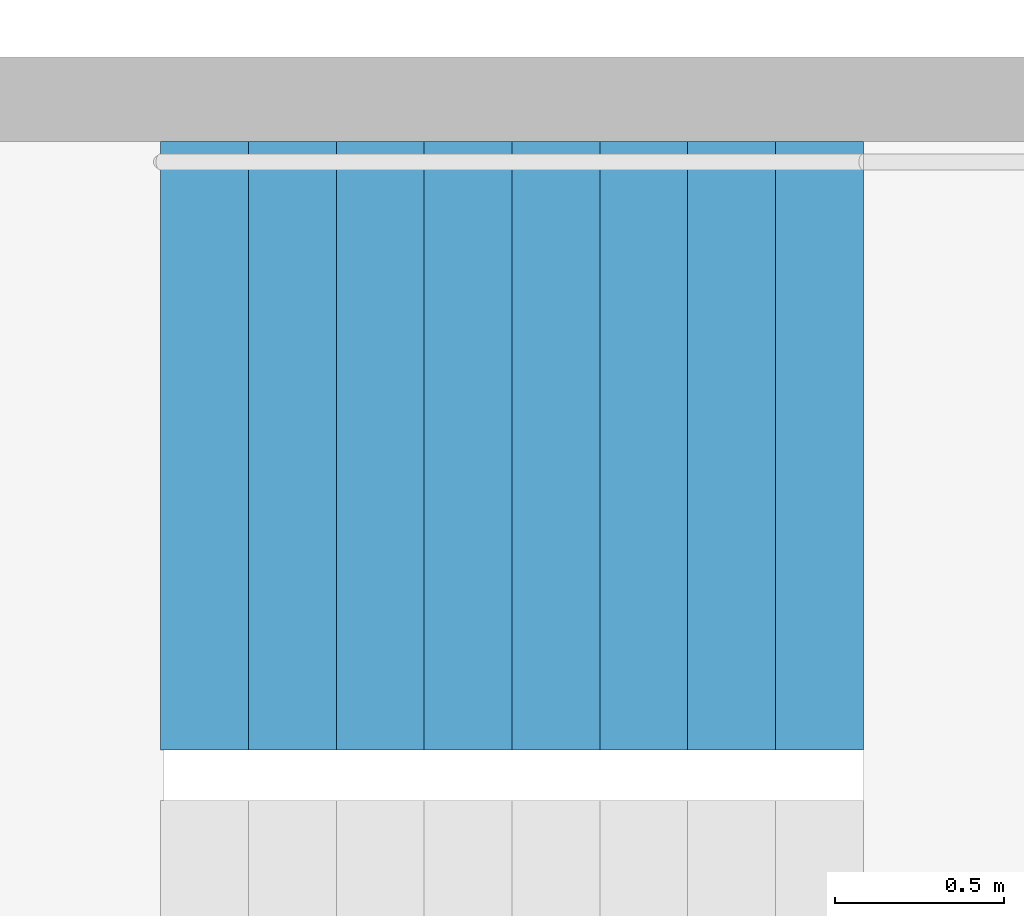
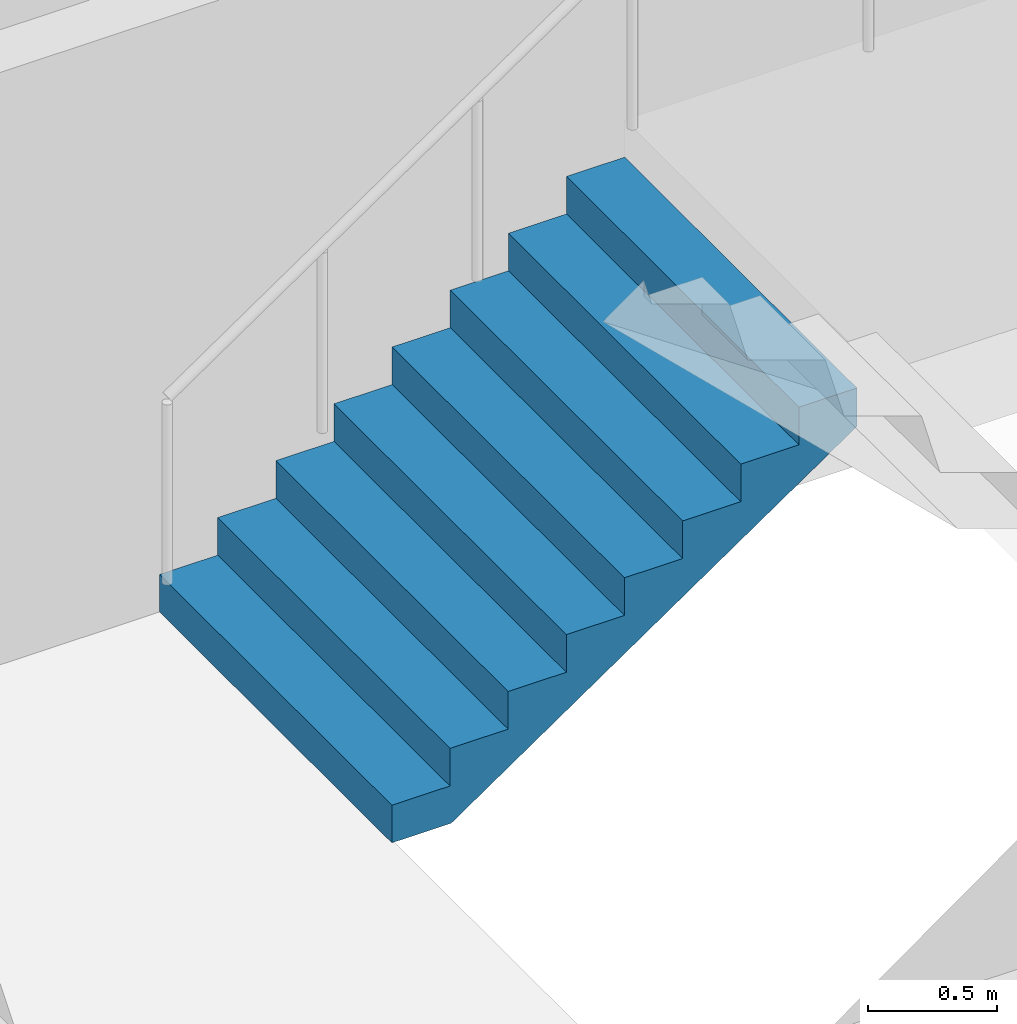
# One storey, part 24 of 33: 1 stair flight, 1 element without a shape of its own.
"""IFC4 building model written with IfcOpenShell, lengths in metres."""

import ifcopenshell
import ifcopenshell.guid

model = None  # the IFC model being written
_history = None  # IfcOwnerHistory: only IFC2X3 demands one
_inside = {}  # id of a spatial element -> (the spatial element, [elements in it])
_under = {}  # id of a project, library or spatial element -> (it, [spatial elements below it])
_declared = {}  # id of a project -> (the project, [libraries it declares])
_typed = {}  # id of a type object -> (the type object, [elements of that type])
_made_of = {}  # id of a material, layer set ... -> (it, [elements and type objects made of it])


def new_model(schema):
    """Start an empty IFC model of exactly this schema.

    Asked for "IFC4X3", IfcOpenShell would pick the latest addendum, in which some entities
    have other attributes; the version numbers below select the first issue.
    IFC2X3 requires an IfcOwnerHistory on every rooted entity: one is made here for all.
    """
    global model, _history
    if schema == "IFC4X3":
        model = ifcopenshell.file(schema_version=(4, 3, 0, 0))
    else:
        model = ifcopenshell.file(schema=schema)
    _inside.clear()
    _under.clear()
    _declared.clear()
    _typed.clear()
    _made_of.clear()
    _history = None
    if model.schema == "IFC2X3":
        org = make("IfcOrganization", Name="unknown")
        user = make(
            "IfcPersonAndOrganization",
            ThePerson=make("IfcPerson", FamilyName="unknown"),
            TheOrganization=org,
        )
        app = make(
            "IfcApplication",
            ApplicationDeveloper=org,
            Version="unknown",
            ApplicationFullName="unknown",
            ApplicationIdentifier="unknown",
        )
        _history = make(
            "IfcOwnerHistory",
            OwningUser=user,
            OwningApplication=app,
            ChangeAction="ADDED",
            CreationDate=0,
        )
    return model


def make(cls, **values):
    """One entity of the class cls with the attributes given. An attribute that is None is left unset."""
    return model.create_entity(
        cls, **{name: value for name, value in values.items() if value is not None}
    )


def rooted(cls, **values):
    """An entity with a GlobalId (a new one), such as an element, a storey or a relation."""
    return make(cls, GlobalId=ifcopenshell.guid.new(), OwnerHistory=_history, **values)


def si_unit(unit_type, name, prefix=None):
    """IfcSIUnit, for example si_unit("LENGTHUNIT", "METRE", prefix="MILLI")."""
    return make("IfcSIUnit", UnitType=unit_type, Prefix=prefix, Name=name)


def assignment(units):
    """IfcUnitAssignment: the units of a project."""
    return None if units is None else make("IfcUnitAssignment", Units=units)


def point(xyz):
    """IfcCartesianPoint."""
    return None if xyz is None else make("IfcCartesianPoint", Coordinates=xyz)


def direction(xyz):
    """IfcDirection."""
    return None if xyz is None else make("IfcDirection", DirectionRatios=xyz)


def frame(location, z_axis=None, x_axis=None):
    """IfcAxis2Placement3D, a coordinate frame: its origin and axes. An axis left out is left unset."""
    return make(
        "IfcAxis2Placement3D",
        Location=point(location),
        Axis=direction(z_axis),
        RefDirection=direction(x_axis),
    )


def origin():
    """The frame at (0, 0, 0) with its axes left unset."""
    return frame((0.0, 0.0, 0.0))


def place(relative_to, where):
    """IfcLocalPlacement: puts the frame where relative to a parent placement (None: the world)."""
    return make(
        "IfcLocalPlacement", PlacementRelTo=relative_to, RelativePlacement=where
    )


def context(
    kind, dimensions, precision=None, world=None, true_north=None, identifier=None
):
    """IfcGeometricRepresentationContext, for example the 3D "Model" context."""
    return make(
        "IfcGeometricRepresentationContext",
        ContextIdentifier=identifier,
        ContextType=kind,
        CoordinateSpaceDimension=dimensions,
        Precision=precision,
        WorldCoordinateSystem=world,
        TrueNorth=true_north,
    )


def subcontext(parent, identifier, kind, view, scale=None):
    """IfcGeometricRepresentationSubContext, for example "Body" below "Model"."""
    return make(
        "IfcGeometricRepresentationSubContext",
        ContextIdentifier=identifier,
        ContextType=kind,
        ParentContext=parent,
        TargetScale=scale,
        TargetView=view,
    )


def project(units=None, contexts=None):
    """IfcProject with its units and contexts."""
    return rooted(
        "IfcProject",
        Name="project",
        RepresentationContexts=contexts,
        UnitsInContext=assignment(units),
    )


def spatial(cls, under=None, at=None, **own):
    """A site, building, storey or space (cls), placed at a placement, below another one or the project."""
    s = rooted(cls, ObjectPlacement=at, **own)
    if under is not None:
        _under.setdefault(under.id(), (under, []))[1].append(s)
    return s


def point_list(points):
    """IfcCartesianPointList2D or 3D."""
    cls = (
        "IfcCartesianPointList2D" if len(points[0]) == 2 else "IfcCartesianPointList3D"
    )
    return make(cls, CoordList=points)


def triangles(points, corners, closed=None, point_numbers=None):
    """IfcTriangulatedFaceSet: each triangle names its three corners, points numbered from 1."""
    return make(
        "IfcTriangulatedFaceSet",
        Coordinates=point_list(points),
        Closed=closed,
        CoordIndex=corners,
        PnIndex=point_numbers,
    )


def shape(context_of_items, identifier, shape_type, items):
    """IfcShapeRepresentation: the items that make up one representation, for example the "Body"."""
    return make(
        "IfcShapeRepresentation",
        ContextOfItems=context_of_items,
        RepresentationIdentifier=identifier,
        RepresentationType=shape_type,
        Items=items,
    )


def material(Name=None, Category=None):
    """IfcMaterial."""
    return make("IfcMaterial", Name=Name, Category=Category)


def made_of(thing, what):
    """Note that an element or type object is made of a material, layer set ...; save() writes the relation."""
    if what is not None:
        _made_of.setdefault(what.id(), (what, []))[1].append(thing)
    return thing


def type_object(cls, material=None, **own):
    """A type object (cls), such as IfcWallType, which elements share."""
    return made_of(rooted(cls, **own), material)


def element(
    cls,
    number,
    at=None,
    inside=None,
    cuts=None,
    type_object=None,
    material=None,
    context=None,
    identifier="Body",
    shape_type=None,
    held_by="IfcProductDefinitionShape",
    body=None,
    shapes=None,
    **own,
):
    """One element of the class cls, such as IfcWall. Its Tag is "e" and its number.

    at: its placement. inside: the storey or other place that contains it. cuts: it is an
    opening in that element (IfcRelVoidsElement). A single representation is given by context,
    identifier, shape_type and body (its items); several are given by shapes. held_by: the class
    of the entity that holds the representations. save() writes the other relations.
    """
    e = rooted(cls, Tag="e%d" % number, ObjectPlacement=at, **own)
    if body is not None:
        shapes = [shape(context, identifier, shape_type, body)]
    if shapes is not None:
        e.Representation = make(held_by, Representations=shapes)
    if inside is not None:
        _inside.setdefault(inside.id(), (inside, []))[1].append(e)
    if cuts is not None:
        rooted(
            "IfcRelVoidsElement", RelatingBuildingElement=cuts, RelatedOpeningElement=e
        )
    if type_object is not None:
        _typed.setdefault(type_object.id(), (type_object, []))[1].append(e)
    return made_of(e, material)


def aggregate(whole, parts):
    """IfcRelAggregates: a whole, such as a stair, and the parts it consists of."""
    return rooted("IfcRelAggregates", RelatingObject=whole, RelatedObjects=parts)


def save(model, path):
    """Write the relations noted so far, then the file.

    IfcRelAggregates (storeys below a building ...), IfcRelContainedInSpatialStructure (elements
    in a storey), IfcRelDefinesByType, IfcRelAssociatesMaterial and IfcRelDeclares: one each for
    every whole, place, type object, material and project.
    """
    for whole, parts in _under.values():
        aggregate(whole, parts)
    for where, things in _inside.values():
        rooted(
            "IfcRelContainedInSpatialStructure",
            RelatedElements=things,
            RelatingStructure=where,
        )
    for kind, things in _typed.values():
        rooted("IfcRelDefinesByType", RelatedObjects=things, RelatingType=kind)
    for what, things in _made_of.values():
        rooted("IfcRelAssociatesMaterial", RelatedObjects=things, RelatingMaterial=what)
    for by, libraries in _declared.values():
        rooted("IfcRelDeclares", RelatingContext=by, RelatedDefinitions=libraries)
    model.write(path)


model = new_model("IFC4")

# Units and contexts
model_context = context("Model", 3, precision=1e-05, world=origin(), true_north=direction((0.0, 1.0)))
body_context = subcontext(model_context, "Body", "Model", "MODEL_VIEW")
ifc_project = project(units=[si_unit("LENGTHUNIT", "METRE"), si_unit("AREAUNIT", "SQUARE_METRE"), si_unit("VOLUMEUNIT", "CUBIC_METRE"), si_unit("PLANEANGLEUNIT", "RADIAN"), si_unit("MASSUNIT", "GRAM", prefix="KILO")], contexts=[model_context])

# Site, building, storey
site_placement = place(None, origin())
site = spatial("IfcSite", under=ifc_project, at=site_placement, CompositionType="ELEMENT")
building_placement = place(site_placement, origin())
building = spatial("IfcBuilding", under=site, at=building_placement, Name="Hakoniwa Tower and Hamabe Station Hall", CompositionType="ELEMENT")
storey_placement = place(building_placement, frame((0.0, 0.0, 81.800048828125)))
storey = spatial("IfcBuildingStorey", under=building, at=storey_placement, Name="L22", CompositionType="ELEMENT", Elevation=81.800048828125)

# Stair, stair flight
ifc_material_1 = material(Name="Concrete C40", Category="concrete")
stair_type = type_object("IfcStairType", Name="ESCAPE STAIR 1800", PredefinedType="HALF_TURN_STAIR", material=ifc_material_1)
stair_placement = place(storey_placement, origin())
stair = element("IfcStair", 1, at=stair_placement, inside=storey, type_object=stair_type, Name="Escape stair ST-4 L22", PredefinedType="HALF_TURN_STAIR")
ifc_material_2 = material(Name="Concrete C40", Category="concrete")
stair_flight_type = type_object("IfcStairFlightType", Name="STAIR FLIGHT 1800", PredefinedType="STRAIGHT", material=ifc_material_2)
stair_flight_placement = place(storey_placement, frame((23.39990234375, -4.64990234375, 0.0), z_axis=(0.0, 0.0, 1.0), x_axis=(1.0, 0.0, 0.0)))
stair_flight = element("IfcStairFlight", 2, at=stair_flight_placement, type_object=stair_flight_type, Name="ST-4 flight 1", NumberOfRisers=9, NumberOfTreads=8, PredefinedType="STRAIGHT", RiserHeight=0.177777778, TreadLength=0.26, context=body_context, shape_type="Tessellation", body=[
    triangles([(0.0, 0.89990234375, 0.0), (0.260009765625, 0.89990234375, 0.0), (0.265625, 0.89990234375, 0.0), (0.52001953125, 0.89990234375, 0.174072265625), (0.780029296875, 0.89990234375, 0.351806640625), (1.0400390625, 0.89990234375, 0.529541015625), (1.300048828125, 0.89990234375, 0.707275390625), (1.56005859375, 0.89990234375, 0.885009765625), (1.820068359375, 0.89990234375, 1.062744140625), (2.080078125, 0.89990234375, 1.24072265625), (2.080078125, 0.89990234375, 1.422119140625), (1.820068359375, 0.89990234375, 1.422119140625), (1.820068359375, 0.89990234375, 1.244384765625), (1.56005859375, 0.89990234375, 1.244384765625), (1.56005859375, 0.89990234375, 1.066650390625), (1.300048828125, 0.89990234375, 1.066650390625), (1.300048828125, 0.89990234375, 0.888916015625), (1.0400390625, 0.89990234375, 0.888916015625), (1.0400390625, 0.89990234375, 0.711181640625), (0.780029296875, 0.89990234375, 0.711181640625), (0.780029296875, 0.89990234375, 0.533447265625), (0.52001953125, 0.89990234375, 0.533447265625), (0.52001953125, 0.89990234375, 0.35546875), (0.265625, 0.89990234375, 0.35546875), (0.260009765625, 0.89990234375, 0.35546875), (0.260009765625, 0.89990234375, 0.177734375), (0.0, 0.89990234375, 0.177734375), (0.0, 0.06005859375, 0.0), (0.260009765625, 0.06005859375, 0.0), (0.265625, 0.06005859375, 0.0), (0.52001953125, 0.06005859375, 0.174072265625), (0.780029296875, 0.06005859375, 0.351806640625), (1.0400390625, 0.06005859375, 0.529541015625), (1.300048828125, 0.06005859375, 0.707275390625), (1.56005859375, 0.06005859375, 0.885009765625), (1.820068359375, 0.06005859375, 1.062744140625), (2.080078125, 0.06005859375, 1.24072265625), (2.080078125, 0.06005859375, 1.422119140625), (1.820068359375, 0.06005859375, 1.422119140625), (1.820068359375, 0.06005859375, 1.244384765625), (1.56005859375, 0.06005859375, 1.244384765625), (1.56005859375, 0.06005859375, 1.066650390625), (1.300048828125, 0.06005859375, 1.066650390625), (1.300048828125, 0.06005859375, 0.888916015625), (1.0400390625, 0.06005859375, 0.888916015625), (1.0400390625, 0.06005859375, 0.711181640625), (0.780029296875, 0.06005859375, 0.711181640625), (0.780029296875, 0.06005859375, 0.533447265625), (0.52001953125, 0.06005859375, 0.533447265625), (0.52001953125, 0.06005859375, 0.35546875), (0.265625, 0.06005859375, 0.35546875), (0.260009765625, 0.06005859375, 0.35546875), (0.260009765625, 0.06005859375, 0.177734375), (0.0, 0.06005859375, 0.177734375), (0.0, 0.04296875, 0.0), (0.260009765625, 0.04296875, 0.0), (0.265625, 0.04296875, 0.0), (0.52001953125, 0.04296875, 0.174072265625), (0.780029296875, 0.04296875, 0.351806640625), (1.0400390625, 0.04296875, 0.529541015625), (1.300048828125, 0.04296875, 0.707275390625), (1.56005859375, 0.04296875, 0.885009765625), (1.820068359375, 0.04296875, 1.062744140625), (2.080078125, 0.04296875, 1.24072265625), (2.080078125, 0.04296875, 1.422119140625), (1.820068359375, 0.04296875, 1.422119140625), (1.820068359375, 0.04296875, 1.244384765625), (1.56005859375, 0.04296875, 1.244384765625), (1.56005859375, 0.04296875, 1.066650390625), (1.300048828125, 0.04296875, 1.066650390625), (1.300048828125, 0.04296875, 0.888916015625), (1.0400390625, 0.04296875, 0.888916015625), (1.0400390625, 0.04296875, 0.711181640625), (0.780029296875, 0.04296875, 0.711181640625), (0.780029296875, 0.04296875, 0.533447265625), (0.52001953125, 0.04296875, 0.533447265625), (0.52001953125, 0.04296875, 0.35546875), (0.265625, 0.04296875, 0.35546875), (0.260009765625, 0.04296875, 0.35546875), (0.260009765625, 0.04296875, 0.177734375), (0.0, 0.04296875, 0.177734375), (0.0, 0.025634765625, 0.0), (0.260009765625, 0.025634765625, 0.0), (0.265625, 0.025634765625, 0.0), (0.52001953125, 0.025634765625, 0.174072265625), (0.780029296875, 0.025634765625, 0.351806640625), (1.0400390625, 0.025634765625, 0.529541015625), (1.300048828125, 0.025634765625, 0.707275390625), (1.56005859375, 0.025634765625, 0.885009765625), (1.820068359375, 0.025634765625, 1.062744140625), (2.080078125, 0.025634765625, 1.24072265625), (2.080078125, 0.025634765625, 1.422119140625), (1.820068359375, 0.025634765625, 1.422119140625), (1.820068359375, 0.025634765625, 1.244384765625), (1.56005859375, 0.025634765625, 1.244384765625), (1.56005859375, 0.025634765625, 1.066650390625), (1.300048828125, 0.025634765625, 1.066650390625), (1.300048828125, 0.025634765625, 0.888916015625), (1.0400390625, 0.025634765625, 0.888916015625), (1.0400390625, 0.025634765625, 0.711181640625), (0.780029296875, 0.025634765625, 0.711181640625), (0.780029296875, 0.025634765625, 0.533447265625), (0.52001953125, 0.025634765625, 0.533447265625), (0.52001953125, 0.025634765625, 0.35546875), (0.265625, 0.025634765625, 0.35546875), (0.260009765625, 0.025634765625, 0.35546875), (0.260009765625, 0.025634765625, 0.177734375), (0.0, 0.025634765625, 0.177734375), (0.0, 0.008544921875, 0.0), (0.260009765625, 0.008544921875, 0.0), (0.265625, 0.008544921875, 0.0), (0.52001953125, 0.008544921875, 0.174072265625), (0.780029296875, 0.008544921875, 0.351806640625), (1.0400390625, 0.008544921875, 0.529541015625), (1.300048828125, 0.008544921875, 0.707275390625), (1.56005859375, 0.008544921875, 0.885009765625), (1.820068359375, 0.008544921875, 1.062744140625), (2.080078125, 0.008544921875, 1.24072265625), (2.080078125, 0.008544921875, 1.422119140625), (1.820068359375, 0.008544921875, 1.422119140625), (1.820068359375, 0.008544921875, 1.244384765625), (1.56005859375, 0.008544921875, 1.244384765625), (1.56005859375, 0.008544921875, 1.066650390625), (1.300048828125, 0.008544921875, 1.066650390625), (1.300048828125, 0.008544921875, 0.888916015625), (1.0400390625, 0.008544921875, 0.888916015625), (1.0400390625, 0.008544921875, 0.711181640625), (0.780029296875, 0.008544921875, 0.711181640625), (0.780029296875, 0.008544921875, 0.533447265625), (0.52001953125, 0.008544921875, 0.533447265625), (0.52001953125, 0.008544921875, 0.35546875), (0.265625, 0.008544921875, 0.35546875), (0.260009765625, 0.008544921875, 0.35546875), (0.260009765625, 0.008544921875, 0.177734375), (0.0, 0.008544921875, 0.177734375), (0.0, -0.008544921875, 0.0), (0.260009765625, -0.008544921875, 0.0), (0.265625, -0.008544921875, 0.0), (0.52001953125, -0.008544921875, 0.174072265625), (0.780029296875, -0.008544921875, 0.351806640625), (1.0400390625, -0.008544921875, 0.529541015625), (1.300048828125, -0.008544921875, 0.707275390625), (1.56005859375, -0.008544921875, 0.885009765625), (1.820068359375, -0.008544921875, 1.062744140625), (2.080078125, -0.008544921875, 1.24072265625), (2.080078125, -0.008544921875, 1.422119140625), (1.820068359375, -0.008544921875, 1.422119140625), (1.820068359375, -0.008544921875, 1.244384765625), (1.56005859375, -0.008544921875, 1.244384765625), (1.56005859375, -0.008544921875, 1.066650390625), (1.300048828125, -0.008544921875, 1.066650390625), (1.300048828125, -0.008544921875, 0.888916015625), (1.0400390625, -0.008544921875, 0.888916015625), (1.0400390625, -0.008544921875, 0.711181640625), (0.780029296875, -0.008544921875, 0.711181640625), (0.780029296875, -0.008544921875, 0.533447265625), (0.52001953125, -0.008544921875, 0.533447265625), (0.52001953125, -0.008544921875, 0.35546875), (0.265625, -0.008544921875, 0.35546875), (0.260009765625, -0.008544921875, 0.35546875), (0.260009765625, -0.008544921875, 0.177734375), (0.0, -0.008544921875, 0.177734375), (0.0, -0.025634765625, 0.0), (0.260009765625, -0.025634765625, 0.0), (0.265625, -0.025634765625, 0.0), (0.52001953125, -0.025634765625, 0.174072265625), (0.780029296875, -0.025634765625, 0.351806640625), (1.0400390625, -0.025634765625, 0.529541015625), (1.300048828125, -0.025634765625, 0.707275390625), (1.56005859375, -0.025634765625, 0.885009765625), (1.820068359375, -0.025634765625, 1.062744140625), (2.080078125, -0.025634765625, 1.24072265625), (2.080078125, -0.025634765625, 1.422119140625), (1.820068359375, -0.025634765625, 1.422119140625), (1.820068359375, -0.025634765625, 1.244384765625), (1.56005859375, -0.025634765625, 1.244384765625), (1.56005859375, -0.025634765625, 1.066650390625), (1.300048828125, -0.025634765625, 1.066650390625), (1.300048828125, -0.025634765625, 0.888916015625), (1.0400390625, -0.025634765625, 0.888916015625), (1.0400390625, -0.025634765625, 0.711181640625), (0.780029296875, -0.025634765625, 0.711181640625), (0.780029296875, -0.025634765625, 0.533447265625), (0.52001953125, -0.025634765625, 0.533447265625), (0.52001953125, -0.025634765625, 0.35546875), (0.265625, -0.025634765625, 0.35546875), (0.260009765625, -0.025634765625, 0.35546875), (0.260009765625, -0.025634765625, 0.177734375), (0.0, -0.025634765625, 0.177734375), (0.0, -0.04296875, 0.0), (0.260009765625, -0.04296875, 0.0), (0.265625, -0.04296875, 0.0), (0.52001953125, -0.04296875, 0.174072265625), (0.780029296875, -0.04296875, 0.351806640625), (1.0400390625, -0.04296875, 0.529541015625), (1.300048828125, -0.04296875, 0.707275390625), (1.56005859375, -0.04296875, 0.885009765625), (1.820068359375, -0.04296875, 1.062744140625), (2.080078125, -0.04296875, 1.24072265625), (2.080078125, -0.04296875, 1.422119140625), (1.820068359375, -0.04296875, 1.422119140625), (1.820068359375, -0.04296875, 1.244384765625), (1.56005859375, -0.04296875, 1.244384765625), (1.56005859375, -0.04296875, 1.066650390625), (1.300048828125, -0.04296875, 1.066650390625), (1.300048828125, -0.04296875, 0.888916015625), (1.0400390625, -0.04296875, 0.888916015625), (1.0400390625, -0.04296875, 0.711181640625), (0.780029296875, -0.04296875, 0.711181640625), (0.780029296875, -0.04296875, 0.533447265625), (0.52001953125, -0.04296875, 0.533447265625), (0.52001953125, -0.04296875, 0.35546875), (0.265625, -0.04296875, 0.35546875), (0.260009765625, -0.04296875, 0.35546875), (0.260009765625, -0.04296875, 0.177734375), (0.0, -0.04296875, 0.177734375), (0.0, -0.06005859375, 0.0), (0.260009765625, -0.06005859375, 0.0), (0.265625, -0.06005859375, 0.0), (0.52001953125, -0.06005859375, 0.174072265625), (0.780029296875, -0.06005859375, 0.351806640625), (1.0400390625, -0.06005859375, 0.529541015625), (1.300048828125, -0.06005859375, 0.707275390625), (1.56005859375, -0.06005859375, 0.885009765625), (1.820068359375, -0.06005859375, 1.062744140625), (2.080078125, -0.06005859375, 1.24072265625), (2.080078125, -0.06005859375, 1.422119140625), (1.820068359375, -0.06005859375, 1.422119140625), (1.820068359375, -0.06005859375, 1.244384765625), (1.56005859375, -0.06005859375, 1.244384765625), (1.56005859375, -0.06005859375, 1.066650390625), (1.300048828125, -0.06005859375, 1.066650390625), (1.300048828125, -0.06005859375, 0.888916015625), (1.0400390625, -0.06005859375, 0.888916015625), (1.0400390625, -0.06005859375, 0.711181640625), (0.780029296875, -0.06005859375, 0.711181640625), (0.780029296875, -0.06005859375, 0.533447265625), (0.52001953125, -0.06005859375, 0.533447265625), (0.52001953125, -0.06005859375, 0.35546875), (0.265625, -0.06005859375, 0.35546875), (0.260009765625, -0.06005859375, 0.35546875), (0.260009765625, -0.06005859375, 0.177734375), (0.0, -0.06005859375, 0.177734375), (0.0, -0.89990234375, 0.0), (0.260009765625, -0.89990234375, 0.0), (0.265625, -0.89990234375, 0.0), (0.52001953125, -0.89990234375, 0.174072265625), (0.780029296875, -0.89990234375, 0.351806640625), (1.0400390625, -0.89990234375, 0.529541015625), (1.300048828125, -0.89990234375, 0.707275390625), (1.56005859375, -0.89990234375, 0.885009765625), (1.820068359375, -0.89990234375, 1.062744140625), (2.080078125, -0.89990234375, 1.24072265625), (2.080078125, -0.89990234375, 1.422119140625), (1.820068359375, -0.89990234375, 1.422119140625), (1.820068359375, -0.89990234375, 1.244384765625), (1.56005859375, -0.89990234375, 1.244384765625), (1.56005859375, -0.89990234375, 1.066650390625), (1.300048828125, -0.89990234375, 1.066650390625), (1.300048828125, -0.89990234375, 0.888916015625), (1.0400390625, -0.89990234375, 0.888916015625), (1.0400390625, -0.89990234375, 0.711181640625), (0.780029296875, -0.89990234375, 0.711181640625), (0.780029296875, -0.89990234375, 0.533447265625), (0.52001953125, -0.89990234375, 0.533447265625), (0.52001953125, -0.89990234375, 0.35546875), (0.265625, -0.89990234375, 0.35546875), (0.260009765625, -0.89990234375, 0.35546875), (0.260009765625, -0.89990234375, 0.177734375), (0.0, -0.89990234375, 0.177734375)], [[2, 27, 26], [245, 269, 270], [2, 1, 27], [245, 270, 244], [3, 25, 24], [246, 267, 268], [3, 26, 25], [246, 268, 269], [3, 2, 26], [246, 269, 245], [4, 24, 23], [247, 266, 267], [4, 3, 24], [247, 267, 246], [5, 22, 21], [248, 264, 265], [5, 23, 22], [248, 265, 266], [5, 4, 23], [248, 266, 247], [6, 20, 19], [249, 262, 263], [6, 21, 20], [249, 263, 264], [6, 5, 21], [249, 264, 248], [7, 18, 17], [250, 260, 261], [7, 19, 18], [250, 261, 262], [7, 6, 19], [250, 262, 249], [8, 16, 15], [251, 258, 259], [8, 17, 16], [251, 259, 260], [8, 7, 17], [251, 260, 250], [9, 14, 13], [252, 256, 257], [9, 15, 14], [252, 257, 258], [9, 8, 15], [252, 258, 251], [10, 12, 11], [253, 254, 255], [10, 13, 12], [253, 255, 256], [10, 9, 13], [253, 256, 252], [1, 2, 29], [1, 29, 28], [28, 29, 56], [28, 56, 55], [55, 56, 83], [55, 83, 82], [82, 83, 110], [82, 110, 109], [109, 110, 137], [109, 137, 136], [136, 137, 164], [136, 164, 163], [163, 164, 191], [163, 191, 190], [190, 191, 218], [190, 218, 217], [217, 218, 245], [217, 245, 244], [2, 3, 30], [2, 30, 29], [29, 30, 57], [29, 57, 56], [56, 57, 84], [56, 84, 83], [83, 84, 111], [83, 111, 110], [110, 111, 138], [110, 138, 137], [137, 138, 165], [137, 165, 164], [164, 165, 192], [164, 192, 191], [191, 192, 219], [191, 219, 218], [218, 219, 246], [218, 246, 245], [3, 4, 31], [3, 31, 30], [30, 31, 58], [30, 58, 57], [57, 58, 85], [57, 85, 84], [84, 85, 112], [84, 112, 111], [111, 112, 139], [111, 139, 138], [138, 139, 166], [138, 166, 165], [165, 166, 193], [165, 193, 192], [192, 193, 220], [192, 220, 219], [219, 220, 247], [219, 247, 246], [4, 5, 32], [4, 32, 31], [31, 32, 59], [31, 59, 58], [58, 59, 86], [58, 86, 85], [85, 86, 113], [85, 113, 112], [112, 113, 140], [112, 140, 139], [139, 140, 167], [139, 167, 166], [166, 167, 194], [166, 194, 193], [193, 194, 221], [193, 221, 220], [220, 221, 248], [220, 248, 247], [5, 6, 33], [5, 33, 32], [32, 33, 60], [32, 60, 59], [59, 60, 87], [59, 87, 86], [86, 87, 114], [86, 114, 113], [113, 114, 141], [113, 141, 140], [140, 141, 168], [140, 168, 167], [167, 168, 195], [167, 195, 194], [194, 195, 222], [194, 222, 221], [221, 222, 249], [221, 249, 248], [6, 7, 34], [6, 34, 33], [33, 34, 61], [33, 61, 60], [60, 61, 88], [60, 88, 87], [87, 88, 115], [87, 115, 114], [114, 115, 142], [114, 142, 141], [141, 142, 169], [141, 169, 168], [168, 169, 196], [168, 196, 195], [195, 196, 223], [195, 223, 222], [222, 223, 250], [222, 250, 249], [7, 8, 35], [7, 35, 34], [34, 35, 62], [34, 62, 61], [61, 62, 89], [61, 89, 88], [88, 89, 116], [88, 116, 115], [115, 116, 143], [115, 143, 142], [142, 143, 170], [142, 170, 169], [169, 170, 197], [169, 197, 196], [196, 197, 224], [196, 224, 223], [223, 224, 251], [223, 251, 250], [8, 9, 36], [8, 36, 35], [35, 36, 63], [35, 63, 62], [62, 63, 90], [62, 90, 89], [89, 90, 117], [89, 117, 116], [116, 117, 144], [116, 144, 143], [143, 144, 171], [143, 171, 170], [170, 171, 198], [170, 198, 197], [197, 198, 225], [197, 225, 224], [224, 225, 252], [224, 252, 251], [9, 10, 37], [9, 37, 36], [36, 37, 64], [36, 64, 63], [63, 64, 91], [63, 91, 90], [90, 91, 118], [90, 118, 117], [117, 118, 145], [117, 145, 144], [144, 145, 172], [144, 172, 171], [171, 172, 199], [171, 199, 198], [198, 199, 226], [198, 226, 225], [225, 226, 253], [225, 253, 252], [10, 11, 38], [10, 38, 37], [37, 38, 65], [37, 65, 64], [64, 65, 92], [64, 92, 91], [91, 92, 119], [91, 119, 118], [118, 119, 146], [118, 146, 145], [145, 146, 173], [145, 173, 172], [172, 173, 200], [172, 200, 199], [199, 200, 227], [199, 227, 226], [226, 227, 254], [226, 254, 253], [11, 12, 39], [11, 39, 38], [38, 39, 66], [38, 66, 65], [65, 66, 93], [65, 93, 92], [92, 93, 120], [92, 120, 119], [119, 120, 147], [119, 147, 146], [146, 147, 174], [146, 174, 173], [173, 174, 201], [173, 201, 200], [200, 201, 228], [200, 228, 227], [227, 228, 255], [227, 255, 254], [12, 13, 40], [12, 40, 39], [39, 40, 67], [39, 67, 66], [66, 67, 94], [66, 94, 93], [93, 94, 121], [93, 121, 120], [120, 121, 148], [120, 148, 147], [147, 148, 175], [147, 175, 174], [174, 175, 202], [174, 202, 201], [201, 202, 229], [201, 229, 228], [228, 229, 256], [228, 256, 255], [13, 14, 41], [13, 41, 40], [40, 41, 68], [40, 68, 67], [67, 68, 95], [67, 95, 94], [94, 95, 122], [94, 122, 121], [121, 122, 149], [121, 149, 148], [148, 149, 176], [148, 176, 175], [175, 176, 203], [175, 203, 202], [202, 203, 230], [202, 230, 229], [229, 230, 257], [229, 257, 256], [14, 15, 42], [14, 42, 41], [41, 42, 69], [41, 69, 68], [68, 69, 96], [68, 96, 95], [95, 96, 123], [95, 123, 122], [122, 123, 150], [122, 150, 149], [149, 150, 177], [149, 177, 176], [176, 177, 204], [176, 204, 203], [203, 204, 231], [203, 231, 230], [230, 231, 258], [230, 258, 257], [15, 16, 43], [15, 43, 42], [42, 43, 70], [42, 70, 69], [69, 70, 97], [69, 97, 96], [96, 97, 124], [96, 124, 123], [123, 124, 151], [123, 151, 150], [150, 151, 178], [150, 178, 177], [177, 178, 205], [177, 205, 204], [204, 205, 232], [204, 232, 231], [231, 232, 259], [231, 259, 258], [16, 17, 44], [16, 44, 43], [43, 44, 71], [43, 71, 70], [70, 71, 98], [70, 98, 97], [97, 98, 125], [97, 125, 124], [124, 125, 152], [124, 152, 151], [151, 152, 179], [151, 179, 178], [178, 179, 206], [178, 206, 205], [205, 206, 233], [205, 233, 232], [232, 233, 260], [232, 260, 259], [17, 18, 45], [17, 45, 44], [44, 45, 72], [44, 72, 71], [71, 72, 99], [71, 99, 98], [98, 99, 126], [98, 126, 125], [125, 126, 153], [125, 153, 152], [152, 153, 180], [152, 180, 179], [179, 180, 207], [179, 207, 206], [206, 207, 234], [206, 234, 233], [233, 234, 261], [233, 261, 260], [18, 19, 46], [18, 46, 45], [45, 46, 73], [45, 73, 72], [72, 73, 100], [72, 100, 99], [99, 100, 127], [99, 127, 126], [126, 127, 154], [126, 154, 153], [153, 154, 181], [153, 181, 180], [180, 181, 208], [180, 208, 207], [207, 208, 235], [207, 235, 234], [234, 235, 262], [234, 262, 261], [19, 20, 47], [19, 47, 46], [46, 47, 74], [46, 74, 73], [73, 74, 101], [73, 101, 100], [100, 101, 128], [100, 128, 127], [127, 128, 155], [127, 155, 154], [154, 155, 182], [154, 182, 181], [181, 182, 209], [181, 209, 208], [208, 209, 236], [208, 236, 235], [235, 236, 263], [235, 263, 262], [20, 21, 48], [20, 48, 47], [47, 48, 75], [47, 75, 74], [74, 75, 102], [74, 102, 101], [101, 102, 129], [101, 129, 128], [128, 129, 156], [128, 156, 155], [155, 156, 183], [155, 183, 182], [182, 183, 210], [182, 210, 209], [209, 210, 237], [209, 237, 236], [236, 237, 264], [236, 264, 263], [21, 22, 49], [21, 49, 48], [48, 49, 76], [48, 76, 75], [75, 76, 103], [75, 103, 102], [102, 103, 130], [102, 130, 129], [129, 130, 157], [129, 157, 156], [156, 157, 184], [156, 184, 183], [183, 184, 211], [183, 211, 210], [210, 211, 238], [210, 238, 237], [237, 238, 265], [237, 265, 264], [22, 23, 50], [22, 50, 49], [49, 50, 77], [49, 77, 76], [76, 77, 104], [76, 104, 103], [103, 104, 131], [103, 131, 130], [130, 131, 158], [130, 158, 157], [157, 158, 185], [157, 185, 184], [184, 185, 212], [184, 212, 211], [211, 212, 239], [211, 239, 238], [238, 239, 266], [238, 266, 265], [23, 24, 51], [23, 51, 50], [50, 51, 78], [50, 78, 77], [77, 78, 105], [77, 105, 104], [104, 105, 132], [104, 132, 131], [131, 132, 159], [131, 159, 158], [158, 159, 186], [158, 186, 185], [185, 186, 213], [185, 213, 212], [212, 213, 240], [212, 240, 239], [239, 240, 267], [239, 267, 266], [24, 25, 52], [24, 52, 51], [51, 52, 79], [51, 79, 78], [78, 79, 106], [78, 106, 105], [105, 106, 133], [105, 133, 132], [132, 133, 160], [132, 160, 159], [159, 160, 187], [159, 187, 186], [186, 187, 214], [186, 214, 213], [213, 214, 241], [213, 241, 240], [240, 241, 268], [240, 268, 267], [25, 26, 53], [25, 53, 52], [52, 53, 80], [52, 80, 79], [79, 80, 107], [79, 107, 106], [106, 107, 134], [106, 134, 133], [133, 134, 161], [133, 161, 160], [160, 161, 188], [160, 188, 187], [187, 188, 215], [187, 215, 214], [214, 215, 242], [214, 242, 241], [241, 242, 269], [241, 269, 268], [26, 27, 54], [26, 54, 53], [53, 54, 81], [53, 81, 80], [80, 81, 108], [80, 108, 107], [107, 108, 135], [107, 135, 134], [134, 135, 162], [134, 162, 161], [161, 162, 189], [161, 189, 188], [188, 189, 216], [188, 216, 215], [215, 216, 243], [215, 243, 242], [242, 243, 270], [242, 270, 269], [27, 1, 28], [27, 28, 54], [54, 28, 55], [54, 55, 81], [81, 55, 82], [81, 82, 108], [108, 82, 109], [108, 109, 135], [135, 109, 136], [135, 136, 162], [162, 136, 163], [162, 163, 189], [189, 163, 190], [189, 190, 216], [216, 190, 217], [216, 217, 243], [243, 217, 244], [243, 244, 270]], closed=True),
])
aggregate(stair, [stair_flight])

save(model, "model.ifc")
